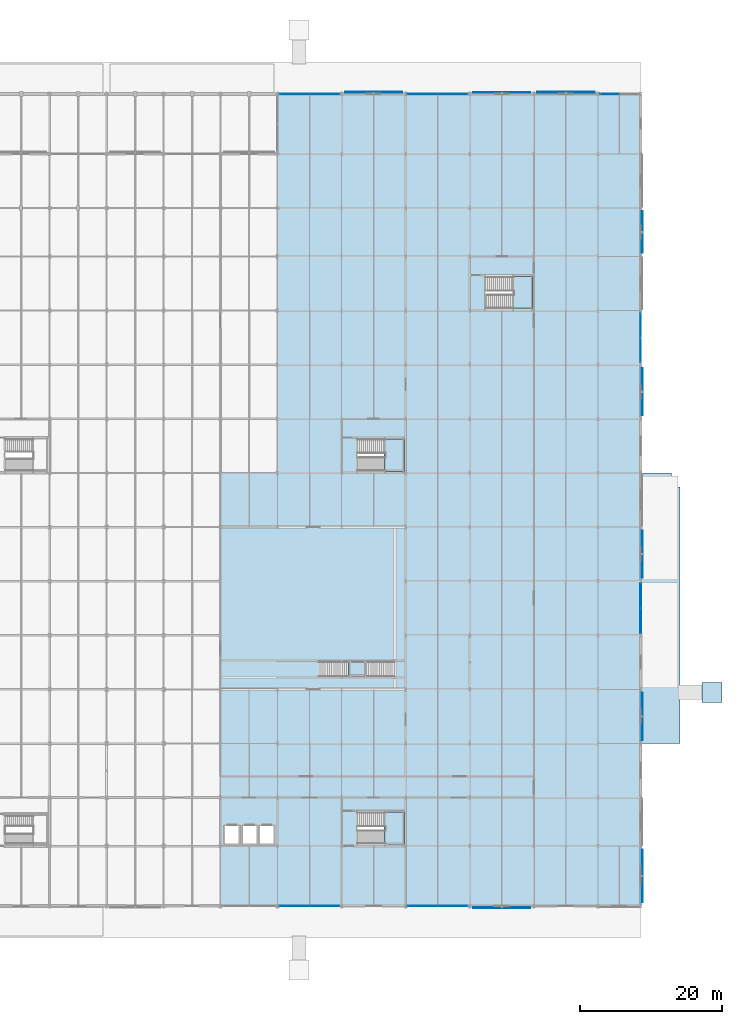
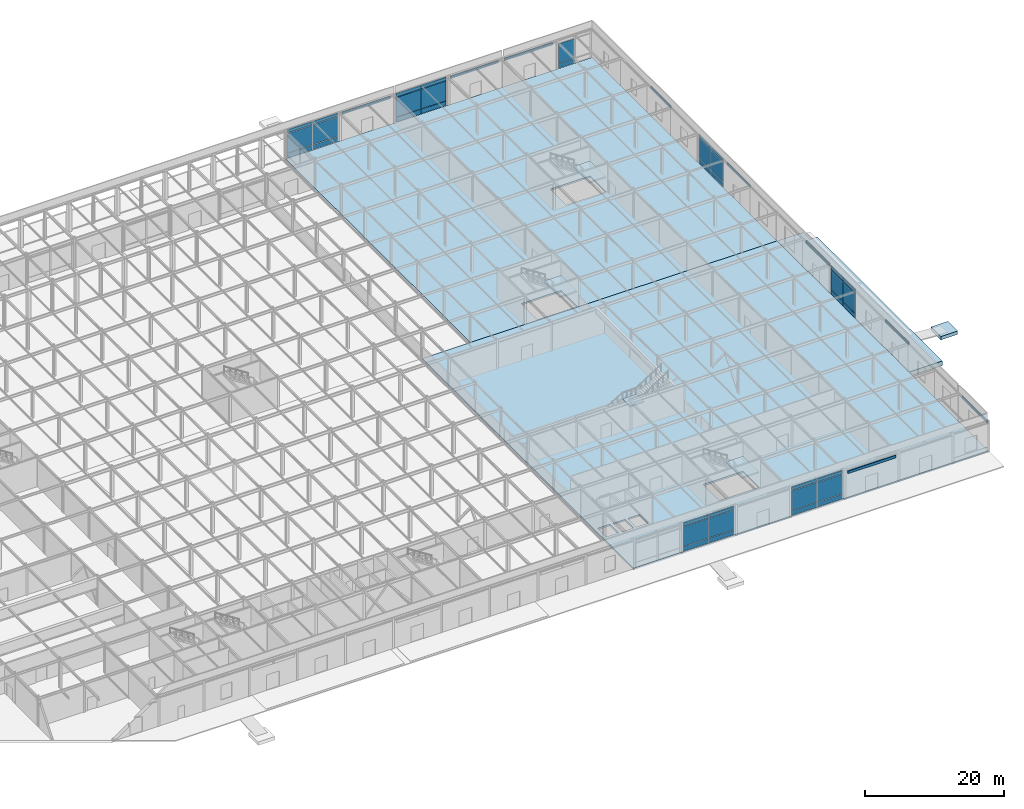
# One storey, part 58 of 89: 47 plates, 8 slabs, 11 elements without a shape of their own.
"""IFC4 building model written with IfcOpenShell, lengths in metres."""

from ifc_helpers import new_model, si_unit, direction, frame, origin, origin_2d, place, context, subcontext, project, spatial, polyline, rectangle, outline, extrude, material, layer, layer_set, type_object, element, aggregate, save


model = new_model("IFC4")

# Units and contexts
model_context = context("Model", 3, precision=1e-05, world=origin(), true_north=direction((0.0, 1.0)))
body_context = subcontext(model_context, "Body", "Model", "MODEL_VIEW")
ifc_project = project(units=[si_unit("LENGTHUNIT", "METRE"), si_unit("AREAUNIT", "SQUARE_METRE"), si_unit("VOLUMEUNIT", "CUBIC_METRE"), si_unit("PLANEANGLEUNIT", "RADIAN"), si_unit("MASSUNIT", "GRAM", prefix="KILO")], contexts=[model_context])

# Site, building, storey
site_placement = place(None, origin())
site = spatial("IfcSite", under=ifc_project, at=site_placement, CompositionType="ELEMENT")
building_placement = place(site_placement, origin())
building = spatial("IfcBuilding", under=site, at=building_placement, Name="Shalkamar Park Central Library", CompositionType="ELEMENT")
storey_placement = place(building_placement, origin())
storey = spatial("IfcBuildingStorey", under=building, at=storey_placement, Name="L01", CompositionType="ELEMENT", Elevation=0.0)

# Slabs
ifc_material_1 = material(Name="Concrete C35/45", Category="concrete")
ifc_layer_1 = layer(ifc_material_1, 0.60009765625)
ifc_layer_set_1 = layer_set([ifc_layer_1], Name="Concrete C35/45")
slab_type_1 = type_object("IfcSlabType", Name="Basement Base Slab 600", PredefinedType="BASESLAB", material=ifc_layer_set_1)
slab_1_placement = place(storey_placement, frame((0.0, 0.0, -0.89990234375)))
element("IfcSlab", 1, at=slab_1_placement, inside=storey, type_object=slab_type_1, Name="Approach Grade Pad RMP-E-M", PredefinedType="BASESLAB", context=body_context, shape_type="SweptSolid", body=[
    extrude(outline(polyline([(296.60009765625, 268.60009765625), (299.39990234375, 268.60009765625), (299.39990234375, 271.39990234375), (296.60009765625, 271.39990234375), (296.60009765625, 268.60009765625)])), origin(), (0.0, 0.0, 1.0), 0.599853515625),
])
ifc_layer_2 = layer(ifc_material_1, 0.800048828125)
ifc_layer_set_2 = layer_set([ifc_layer_2], Name="Concrete C35/45")
slab_type_2 = type_object("IfcSlabType", Name="Basement Base Slab 800", PredefinedType="BASESLAB", material=ifc_layer_set_2)
slab_2_placement = place(storey_placement, frame((0.0, 0.0, -0.800048828125)))
element("IfcSlab", 2, at=slab_2_placement, inside=storey, type_object=slab_type_2, Name="East Park Entrance Grade Apron Slab", PredefinedType="BASESLAB", context=body_context, shape_type="SweptSolid", body=[
    extrude(outline(polyline([(288.0, 262.800048828125), (293.5, 262.800048828125), (293.5, 298.800048828125), (292.300048828125, 298.800048828125), (292.300048828125, 300.800048828125), (288.0, 300.800048828125), (288.0, 262.800048828125)])), origin(), (0.0, 0.0, 1.0), 0.800048828125),
])

# Plates
ifc_material_2 = material(Name="Anodized bronze architectural frieze plate", Category="aluminium")
ifc_layer_3 = layer(ifc_material_2, 0.110107421875)
ifc_layer_set_3 = layer_set([ifc_layer_3], Name="BronzeSpandrelFriezePlate_110")
plate_type_1 = type_object("IfcPlateType", Name="Bronze Spandrel Frieze Plate 110", PredefinedType="USERDEFINED", material=ifc_layer_set_3)
plate_1_placement = place(storey_placement, frame((268.5, 354.2099609375, 4.34814453125), z_axis=(0.0, 0.0, 1.0), x_axis=(1.0, 0.0, 0.0)))
element("IfcPlate", 3, at=plate_1_placement, inside=storey, type_object=plate_type_1, Name="Bronze Spandrel Frieze Plate L01-015", ObjectType="CLADDING", PredefinedType="USERDEFINED", context=body_context, shape_type="SweptSolid", body=[
    extrude(rectangle(XDim=8.028076171875, YDim=0.110107421875, at=origin_2d()), origin(), (0.0, 0.0, 1.0), 0.449951171875),
])
for number, where, z_axis, x_axis, name in (
    (4, (288.2099609375, 266.60009765625, 4.42822265625), (0.0, 0.0, 1.0), (1.0, 0.0, 0.0), "Bronze Spandrel Frieze Plate L01-025"),
    (5, (288.2099609375, 312.199951171875, 4.42822265625), (0.0, 0.0, 1.0), (1.0, 0.0, 0.0), "Bronze Spandrel Frieze Plate L01-027"),
):
    element("IfcPlate", number, at=place(storey_placement, frame(where, z_axis=z_axis, x_axis=x_axis)), inside=storey, type_object=plate_type_1, Name=name, ObjectType="CLADDING", PredefinedType="USERDEFINED", context=body_context, shape_type="SweptSolid", body=[
        extrude(rectangle(XDim=0.110107421875, YDim=6.6279296875, at=origin_2d()), origin(), (0.0, 0.0, 1.0), 0.449951171875),
    ])
ifc_material_3 = material(Name="Anodized bronze stepped frieze plate", Category="aluminium")
ifc_layer_4 = layer(ifc_material_3, 0.139892578125)
ifc_layer_set_4 = layer_set([ifc_layer_4], Name="PostmodernKeystoneFriezePlate_140")
plate_type_2 = type_object("IfcPlateType", Name="Postmodern Keystone Frieze Plate 140", PredefinedType="USERDEFINED", material=ifc_layer_set_4)
for number, where, z_axis, x_axis, name in (
    (6, (268.5, 239.77490234375, 4.34814453125), (0.0, 0.0, 1.0), (1.0, 0.0, 0.0), "Bronze Spandrel Frieze Plate L01-006"),
    (7, (250.5, 354.22509765625, 4.34814453125), (0.0, 0.0, 1.0), (1.0, 0.0, 0.0), "Bronze Spandrel Frieze Plate L01-014"),
    (8, (277.5, 354.22509765625, 4.34814453125), (0.0, 0.0, 1.0), (1.0, 0.0, 0.0), "Bronze Spandrel Frieze Plate L01-016"),
):
    element("IfcPlate", number, at=place(storey_placement, frame(where, z_axis=z_axis, x_axis=x_axis)), inside=storey, type_object=plate_type_2, Name=name, ObjectType="CLADDING", PredefinedType="USERDEFINED", context=body_context, shape_type="SweptSolid", body=[
        extrude(rectangle(XDim=8.028076171875, YDim=0.139892578125, at=origin_2d()), origin(), (0.0, 0.0, 1.0), 0.449951171875),
    ])
plate_2_placement = place(storey_placement, frame((288.22509765625, 244.199951171875, 4.38818359375), z_axis=(0.0, 0.0, 1.0), x_axis=(1.0, 0.0, 0.0)))
element("IfcPlate", 9, at=plate_2_placement, inside=storey, type_object=plate_type_2, Name="Bronze Spandrel Frieze Plate L01-024", ObjectType="CLADDING", PredefinedType="USERDEFINED", context=body_context, shape_type="SweptSolid", body=[
    extrude(rectangle(XDim=0.139892578125, YDim=7.427978515625, at=origin_2d()), origin(), (0.0, 0.0, 1.0), 0.449951171875),
])
plate_3_placement = place(storey_placement, frame((288.22509765625, 289.39990234375, 4.42822265625), z_axis=(0.0, 0.0, 1.0), x_axis=(1.0, 0.0, 0.0)))
element("IfcPlate", 10, at=plate_3_placement, inside=storey, type_object=plate_type_2, Name="Bronze Spandrel Frieze Plate L01-026", ObjectType="CLADDING", PredefinedType="USERDEFINED", context=body_context, shape_type="SweptSolid", body=[
    extrude(rectangle(XDim=0.139892578125, YDim=6.6279296875, at=origin_2d()), origin(), (0.0, 0.0, 1.0), 0.449951171875),
])
plate_4_placement = place(storey_placement, frame((288.22509765625, 334.60009765625, 4.46826171875), z_axis=(0.0, 0.0, 1.0), x_axis=(1.0, 0.0, 0.0)))
element("IfcPlate", 11, at=plate_4_placement, inside=storey, type_object=plate_type_2, Name="Bronze Spandrel Frieze Plate L01-028", ObjectType="CLADDING", PredefinedType="USERDEFINED", context=body_context, shape_type="SweptSolid", body=[
    extrude(rectangle(XDim=0.139892578125, YDim=5.827880859375, at=origin_2d()), origin(), (0.0, 0.0, 1.0), 0.449951171875),
])

# Curtain wall, plates
ifc_material_4 = material(Name="Thermally broken aluminium and triple low-e curtain wall", Category="aluminium")
ifc_layer_5 = layer(ifc_material_4, 0.27001953125)
ifc_layer_set_5 = layer_set([ifc_layer_5], Name="UnitisedCurtainWall_02")
curtain_wall_type_1 = type_object("IfcCurtainWallType", Name="Unitised Curtain Wall 02", PredefinedType="USERDEFINED", material=ifc_layer_set_5)
curtain_wall_1_placement = place(storey_placement, origin())
curtain_wall_1 = element("IfcCurtainWall", 12, at=curtain_wall_1_placement, inside=storey, type_object=curtain_wall_type_1, Name="Unitised Curtain Wall CW-L01-002", ObjectType="UNITISED CURTAIN WALL", PredefinedType="USERDEFINED")
ifc_material_5 = material(Name="Triple-glazed solar-control glass", Category="glass")
ifc_layer_6 = layer(ifc_material_5, 0.031982421875)
ifc_layer_set_6 = layer_set([ifc_layer_6], Name="SolarControlVisionPanel_32")
plate_type_3 = type_object("IfcPlateType", Name="Solar Control Vision Panel 32", PredefinedType="CURTAIN_PANEL", material=ifc_layer_set_6)
plate_5_placement = place(storey_placement, frame((239.378173828125, 240.0, 0.06494140625), z_axis=(0.0, 0.0, 1.0), x_axis=(1.0, 0.0, 0.0)))
plate_5 = element("IfcPlate", 13, at=plate_5_placement, type_object=plate_type_3, Name="CW-02 panel 1.1", PredefinedType="CURTAIN_PANEL", context=body_context, shape_type="SweptSolid", body=[
    extrude(rectangle(XDim=4.138427734375, YDim=0.031982421875, at=origin_2d()), origin(), (0.0, 0.0, 1.0), 0.802490234375),
])
plate_6_placement = place(storey_placement, frame((239.378173828125, 240.0, 0.932373046875), z_axis=(0.0, 0.0, 1.0), x_axis=(1.0, 0.0, 0.0)))
plate_6 = element("IfcPlate", 14, at=plate_6_placement, type_object=plate_type_3, Name="CW-02 panel 1.2", PredefinedType="CURTAIN_PANEL", context=body_context, shape_type="SweptSolid", body=[
    extrude(rectangle(XDim=4.138427734375, YDim=0.031982421875, at=origin_2d()), origin(), (0.0, 0.0, 1.0), 3.43505859375),
])
plate_7_placement = place(storey_placement, frame((239.378173828125, 240.0, 4.4326171875), z_axis=(0.0, 0.0, 1.0), x_axis=(1.0, 0.0, 0.0)))
plate_7 = element("IfcPlate", 15, at=plate_7_placement, type_object=plate_type_3, Name="CW-02 panel 1.3", PredefinedType="CURTAIN_PANEL", context=body_context, shape_type="SweptSolid", body=[
    extrude(rectangle(XDim=4.138427734375, YDim=0.031982421875, at=origin_2d()), origin(), (0.0, 0.0, 1.0), 0.652587890625),
])
plate_8_placement = place(storey_placement, frame((243.5966796875, 240.0, 0.06494140625), z_axis=(0.0, 0.0, 1.0), x_axis=(1.0, 0.0, 0.0)))
plate_8 = element("IfcPlate", 16, at=plate_8_placement, type_object=plate_type_3, Name="CW-02 panel 2.1", PredefinedType="CURTAIN_PANEL", context=body_context, shape_type="SweptSolid", body=[
    extrude(rectangle(XDim=4.138427734375, YDim=0.031982421875, at=origin_2d()), origin(), (0.0, 0.0, 1.0), 0.802490234375),
])
plate_9_placement = place(storey_placement, frame((243.5966796875, 240.0, 0.932373046875), z_axis=(0.0, 0.0, 1.0), x_axis=(1.0, 0.0, 0.0)))
plate_9 = element("IfcPlate", 17, at=plate_9_placement, type_object=plate_type_3, Name="CW-02 panel 2.2", PredefinedType="CURTAIN_PANEL", context=body_context, shape_type="SweptSolid", body=[
    extrude(rectangle(XDim=4.138427734375, YDim=0.031982421875, at=origin_2d()), origin(), (0.0, 0.0, 1.0), 3.43505859375),
])
plate_10_placement = place(storey_placement, frame((243.5966796875, 240.0, 4.4326171875), z_axis=(0.0, 0.0, 1.0), x_axis=(1.0, 0.0, 0.0)))
plate_10 = element("IfcPlate", 18, at=plate_10_placement, type_object=plate_type_3, Name="CW-02 panel 2.3", PredefinedType="CURTAIN_PANEL", context=body_context, shape_type="SweptSolid", body=[
    extrude(rectangle(XDim=4.138427734375, YDim=0.031982421875, at=origin_2d()), origin(), (0.0, 0.0, 1.0), 0.652587890625),
])
aggregate(curtain_wall_1, [plate_5, plate_6, plate_7, plate_8, plate_9, plate_10])

ifc_layer_7 = layer(ifc_material_4, 0.280029296875)
ifc_layer_set_7 = layer_set([ifc_layer_7], Name="UnitisedCurtainWall_17")
curtain_wall_type_2 = type_object("IfcCurtainWallType", Name="Unitised Curtain Wall 17", PredefinedType="USERDEFINED", material=ifc_layer_set_7)
curtain_wall_2_placement = place(storey_placement, origin())
curtain_wall_2 = element("IfcCurtainWall", 19, at=curtain_wall_2_placement, inside=storey, type_object=curtain_wall_type_2, Name="Unitised Curtain Wall CW-L01-020", ObjectType="UNITISED CURTAIN WALL", PredefinedType="USERDEFINED")
plate_11_placement = place(storey_placement, frame((288.0, 318.037109375, 0.070068359375), z_axis=(0.0, 0.0, 1.0), x_axis=(0.0, 1.0, 0.0)))
plate_11 = element("IfcPlate", 20, at=plate_11_placement, type_object=plate_type_3, Name="CW-17 panel 1.1", PredefinedType="CURTAIN_PANEL", context=body_context, shape_type="SweptSolid", body=[
    extrude(rectangle(XDim=3.43603515625, YDim=0.031982421875, at=origin_2d()), origin(), (0.0, 0.0, 1.0), 0.794921875),
])
plate_12_placement = place(storey_placement, frame((288.0, 318.037109375, 0.93505859375), z_axis=(0.0, 0.0, 1.0), x_axis=(0.0, 1.0, 0.0)))
plate_12 = element("IfcPlate", 21, at=plate_12_placement, type_object=plate_type_3, Name="CW-17 panel 1.2", PredefinedType="CURTAIN_PANEL", context=body_context, shape_type="SweptSolid", body=[
    extrude(rectangle(XDim=3.43603515625, YDim=0.031982421875, at=origin_2d()), origin(), (0.0, 0.0, 1.0), 3.429931640625),
])
plate_13_placement = place(storey_placement, frame((288.0, 318.037109375, 4.43505859375), z_axis=(0.0, 0.0, 1.0), x_axis=(0.0, 1.0, 0.0)))
plate_13 = element("IfcPlate", 22, at=plate_13_placement, type_object=plate_type_3, Name="CW-17 panel 1.3", PredefinedType="CURTAIN_PANEL", context=body_context, shape_type="SweptSolid", body=[
    extrude(rectangle(XDim=3.43603515625, YDim=0.031982421875, at=origin_2d()), origin(), (0.0, 0.0, 1.0), 0.64501953125),
])
plate_14_placement = place(storey_placement, frame((288.0, 321.56298828125, 0.070068359375), z_axis=(0.0, 0.0, 1.0), x_axis=(0.0, 1.0, 0.0)))
plate_14 = element("IfcPlate", 23, at=plate_14_placement, type_object=plate_type_3, Name="CW-17 panel 2.1", PredefinedType="CURTAIN_PANEL", context=body_context, shape_type="SweptSolid", body=[
    extrude(rectangle(XDim=3.43603515625, YDim=0.031982421875, at=origin_2d()), origin(), (0.0, 0.0, 1.0), 0.794921875),
])
plate_15_placement = place(storey_placement, frame((288.0, 321.56298828125, 0.93505859375), z_axis=(0.0, 0.0, 1.0), x_axis=(0.0, 1.0, 0.0)))
plate_15 = element("IfcPlate", 24, at=plate_15_placement, type_object=plate_type_3, Name="CW-17 panel 2.2", PredefinedType="CURTAIN_PANEL", context=body_context, shape_type="SweptSolid", body=[
    extrude(rectangle(XDim=3.43603515625, YDim=0.031982421875, at=origin_2d()), origin(), (0.0, 0.0, 1.0), 3.429931640625),
])
plate_16_placement = place(storey_placement, frame((288.0, 321.56298828125, 4.43505859375), z_axis=(0.0, 0.0, 1.0), x_axis=(0.0, 1.0, 0.0)))
plate_16 = element("IfcPlate", 25, at=plate_16_placement, type_object=plate_type_3, Name="CW-17 panel 2.3", PredefinedType="CURTAIN_PANEL", context=body_context, shape_type="SweptSolid", body=[
    extrude(rectangle(XDim=3.43603515625, YDim=0.031982421875, at=origin_2d()), origin(), (0.0, 0.0, 1.0), 0.64501953125),
])
aggregate(curtain_wall_2, [plate_11, plate_12, plate_13, plate_14, plate_15, plate_16])

ifc_layer_8 = layer(ifc_material_4, 0.25)
ifc_layer_set_8 = layer_set([ifc_layer_8], Name="UnitisedCurtainWall_12")
curtain_wall_type_3 = type_object("IfcCurtainWallType", Name="Unitised Curtain Wall 12", PredefinedType="USERDEFINED", material=ifc_layer_set_8)
curtain_wall_3_placement = place(storey_placement, origin())
curtain_wall_3 = element("IfcCurtainWall", 26, at=curtain_wall_3_placement, inside=storey, type_object=curtain_wall_type_3, Name="Unitised Curtain Wall CW-L01-013", ObjectType="UNITISED CURTAIN WALL", PredefinedType="USERDEFINED")
ifc_material_6 = material(Name="Insulated aluminium spandrel panel", Category="aluminium")
ifc_layer_9 = layer(ifc_material_6, 0.080078125)
ifc_layer_set_9 = layer_set([ifc_layer_9], Name="SpandrelShadowboxPanel_80")
plate_type_4 = type_object("IfcPlateType", Name="Spandrel Shadowbox Panel 80", PredefinedType="CURTAIN_PANEL", material=ifc_layer_set_9)
plate_17_placement = place(storey_placement, frame((257.376953125, 354.0, 0.06005859375), z_axis=(0.0, 0.0, 1.0), x_axis=(1.0, 0.0, 0.0)))
plate_17 = element("IfcPlate", 27, at=plate_17_placement, type_object=plate_type_4, Name="CW-12 panel 1.1", PredefinedType="CURTAIN_PANEL", context=body_context, shape_type="SweptSolid", body=[
    extrude(rectangle(XDim=4.14599609375, YDim=0.080078125, at=origin_2d()), origin(), (0.0, 0.0, 1.0), 0.81005859375),
])
plate_18_placement = place(storey_placement, frame((257.376953125, 354.0, 0.929931640625), z_axis=(0.0, 0.0, 1.0), x_axis=(1.0, 0.0, 0.0)))
plate_18 = element("IfcPlate", 28, at=plate_18_placement, type_object=plate_type_4, Name="CW-12 panel 1.2", PredefinedType="CURTAIN_PANEL", context=body_context, shape_type="SweptSolid", body=[
    extrude(rectangle(XDim=4.14599609375, YDim=0.080078125, at=origin_2d()), origin(), (0.0, 0.0, 1.0), 3.43994140625),
])
plate_19_placement = place(storey_placement, frame((257.376953125, 354.0, 4.43017578125), z_axis=(0.0, 0.0, 1.0), x_axis=(1.0, 0.0, 0.0)))
plate_19 = element("IfcPlate", 29, at=plate_19_placement, type_object=plate_type_4, Name="CW-12 panel 1.3", PredefinedType="CURTAIN_PANEL", context=body_context, shape_type="SweptSolid", body=[
    extrude(rectangle(XDim=4.14599609375, YDim=0.080078125, at=origin_2d()), origin(), (0.0, 0.0, 1.0), 0.659912109375),
])
plate_20_placement = place(storey_placement, frame((261.597900390625, 354.0, 0.06005859375), z_axis=(0.0, 0.0, 1.0), x_axis=(1.0, 0.0, 0.0)))
plate_20 = element("IfcPlate", 30, at=plate_20_placement, type_object=plate_type_4, Name="CW-12 panel 2.1", PredefinedType="CURTAIN_PANEL", context=body_context, shape_type="SweptSolid", body=[
    extrude(rectangle(XDim=4.14599609375, YDim=0.080078125, at=origin_2d()), origin(), (0.0, 0.0, 1.0), 0.81005859375),
])
plate_21_placement = place(storey_placement, frame((261.597900390625, 354.0, 0.929931640625), z_axis=(0.0, 0.0, 1.0), x_axis=(1.0, 0.0, 0.0)))
plate_21 = element("IfcPlate", 31, at=plate_21_placement, type_object=plate_type_4, Name="CW-12 panel 2.2", PredefinedType="CURTAIN_PANEL", context=body_context, shape_type="SweptSolid", body=[
    extrude(rectangle(XDim=4.14599609375, YDim=0.080078125, at=origin_2d()), origin(), (0.0, 0.0, 1.0), 3.43994140625),
])
plate_22_placement = place(storey_placement, frame((261.597900390625, 354.0, 4.43017578125), z_axis=(0.0, 0.0, 1.0), x_axis=(1.0, 0.0, 0.0)))
plate_22 = element("IfcPlate", 32, at=plate_22_placement, type_object=plate_type_4, Name="CW-12 panel 2.3", PredefinedType="CURTAIN_PANEL", context=body_context, shape_type="SweptSolid", body=[
    extrude(rectangle(XDim=4.14599609375, YDim=0.080078125, at=origin_2d()), origin(), (0.0, 0.0, 1.0), 0.659912109375),
])
aggregate(curtain_wall_3, [plate_17, plate_18, plate_19, plate_20, plate_21, plate_22])

ifc_layer_10 = layer(ifc_material_4, 0.25)
ifc_layer_set_10 = layer_set([ifc_layer_10], Name="UnitisedCurtainWall_18")
curtain_wall_type_4 = type_object("IfcCurtainWallType", Name="Unitised Curtain Wall 18", PredefinedType="USERDEFINED", material=ifc_layer_set_10)
curtain_wall_4_placement = place(storey_placement, origin())
curtain_wall_4 = element("IfcCurtainWall", 33, at=curtain_wall_4_placement, inside=storey, type_object=curtain_wall_type_4, Name="Unitised Curtain Wall CW-L01-019", ObjectType="UNITISED CURTAIN WALL", PredefinedType="USERDEFINED")
plate_23_placement = place(storey_placement, frame((288.0, 280.033203125, 0.06005859375), z_axis=(0.0, 0.0, 1.0), x_axis=(0.0, 1.0, 0.0)))
plate_23 = element("IfcPlate", 34, at=plate_23_placement, type_object=plate_type_4, Name="CW-18 panel 1.1", PredefinedType="CURTAIN_PANEL", context=body_context, shape_type="SweptSolid", body=[
    extrude(rectangle(XDim=3.45849609375, YDim=0.080078125, at=origin_2d()), origin(), (0.0, 0.0, 1.0), 0.81005859375),
])
plate_24_placement = place(storey_placement, frame((288.0, 280.033203125, 0.929931640625), z_axis=(0.0, 0.0, 1.0), x_axis=(0.0, 1.0, 0.0)))
plate_24 = element("IfcPlate", 35, at=plate_24_placement, type_object=plate_type_4, Name="CW-18 panel 1.2", PredefinedType="CURTAIN_PANEL", context=body_context, shape_type="SweptSolid", body=[
    extrude(rectangle(XDim=3.45849609375, YDim=0.080078125, at=origin_2d()), origin(), (0.0, 0.0, 1.0), 3.43994140625),
])
plate_25_placement = place(storey_placement, frame((288.0, 280.033203125, 4.43017578125), z_axis=(0.0, 0.0, 1.0), x_axis=(0.0, 1.0, 0.0)))
plate_25 = element("IfcPlate", 36, at=plate_25_placement, type_object=plate_type_4, Name="CW-18 panel 1.3", PredefinedType="CURTAIN_PANEL", context=body_context, shape_type="SweptSolid", body=[
    extrude(rectangle(XDim=3.45849609375, YDim=0.080078125, at=origin_2d()), origin(), (0.0, 0.0, 1.0), 0.659912109375),
])
plate_26_placement = place(storey_placement, frame((288.0, 283.566650390625, 0.06005859375), z_axis=(0.0, 0.0, 1.0), x_axis=(0.0, 1.0, 0.0)))
plate_26 = element("IfcPlate", 37, at=plate_26_placement, type_object=plate_type_4, Name="CW-18 panel 2.1", PredefinedType="CURTAIN_PANEL", context=body_context, shape_type="SweptSolid", body=[
    extrude(rectangle(XDim=3.45849609375, YDim=0.080078125, at=origin_2d()), origin(), (0.0, 0.0, 1.0), 0.81005859375),
])
plate_27_placement = place(storey_placement, frame((288.0, 283.566650390625, 0.929931640625), z_axis=(0.0, 0.0, 1.0), x_axis=(0.0, 1.0, 0.0)))
plate_27 = element("IfcPlate", 38, at=plate_27_placement, type_object=plate_type_4, Name="CW-18 panel 2.2", PredefinedType="CURTAIN_PANEL", context=body_context, shape_type="SweptSolid", body=[
    extrude(rectangle(XDim=3.45849609375, YDim=0.080078125, at=origin_2d()), origin(), (0.0, 0.0, 1.0), 3.43994140625),
])
plate_28_placement = place(storey_placement, frame((288.0, 283.566650390625, 4.43017578125), z_axis=(0.0, 0.0, 1.0), x_axis=(0.0, 1.0, 0.0)))
plate_28 = element("IfcPlate", 39, at=plate_28_placement, type_object=plate_type_4, Name="CW-18 panel 2.3", PredefinedType="CURTAIN_PANEL", context=body_context, shape_type="SweptSolid", body=[
    extrude(rectangle(XDim=3.45849609375, YDim=0.080078125, at=origin_2d()), origin(), (0.0, 0.0, 1.0), 0.659912109375),
])
aggregate(curtain_wall_4, [plate_23, plate_24, plate_25, plate_26, plate_27, plate_28])

# Stair, slab
stair_type_1 = type_object("IfcStairType", Name="Protected Dog Leg Stair 200x540", PredefinedType="TWO_STRAIGHT_RUN_STAIR", material=ifc_material_1)
stair_1_placement = place(storey_placement, origin())
stair_1 = element("IfcStair", 40, at=stair_1_placement, inside=storey, type_object=stair_type_1, Name="Protected Core Stair ST-P3-L01", PredefinedType="TWO_STRAIGHT_RUN_STAIR")
ifc_layer_11 = layer(ifc_material_1, 0.280029296875)
ifc_layer_set_11 = layer_set([ifc_layer_11], Name="Concrete C35/45")
slab_type_3 = type_object("IfcSlabType", Name="Stair Landing Slab 160", PredefinedType="LANDING", material=ifc_layer_set_11)
slab_3_placement = place(storey_placement, frame((0.0, 0.0, 2.419921875)))
slab_3 = element("IfcSlab", 41, at=slab_3_placement, type_object=slab_type_3, Name="ST-P3-L01 landing 1", PredefinedType="LANDING", context=body_context, shape_type="SweptSolid", body=[
    extrude(outline(polyline([(251.965087890625, 248.594970703125), (254.804931640625, 248.594970703125), (254.804931640625, 253.155029296875), (251.965087890625, 253.155029296875), (251.965087890625, 248.594970703125)])), origin(), (0.0, 0.0, 1.0), 0.280029296875),
])
aggregate(stair_1, [slab_3])

stair_2_placement = place(storey_placement, origin())
stair_2 = element("IfcStair", 42, at=stair_2_placement, inside=storey, type_object=stair_type_1, Name="Protected Core Stair ST-P4-L01", PredefinedType="TWO_STRAIGHT_RUN_STAIR")
slab_4_placement = place(storey_placement, frame((0.0, 0.0, 2.419921875)))
slab_4 = element("IfcSlab", 43, at=slab_4_placement, type_object=slab_type_3, Name="ST-P4-L01 landing 1", PredefinedType="LANDING", context=body_context, shape_type="SweptSolid", body=[
    extrude(outline(polyline([(251.965087890625, 300.9951171875), (254.804931640625, 300.9951171875), (254.804931640625, 305.554931640625), (251.965087890625, 305.554931640625), (251.965087890625, 300.9951171875)])), origin(), (0.0, 0.0, 1.0), 0.280029296875),
])
aggregate(stair_2, [slab_4])

stair_3_placement = place(storey_placement, origin())
stair_3 = element("IfcStair", 44, at=stair_3_placement, inside=storey, type_object=stair_type_1, Name="Protected Core Stair ST-P6-L01", PredefinedType="TWO_STRAIGHT_RUN_STAIR")
slab_5_placement = place(storey_placement, frame((0.0, 0.0, 2.419921875)))
slab_5 = element("IfcSlab", 45, at=slab_5_placement, type_object=slab_type_3, Name="ST-P6-L01 landing 1", PredefinedType="LANDING", context=body_context, shape_type="SweptSolid", body=[
    extrude(outline(polyline([(269.965087890625, 323.794921875), (272.804931640625, 323.794921875), (272.804931640625, 328.35498046875), (269.965087890625, 328.35498046875), (269.965087890625, 323.794921875)])), origin(), (0.0, 0.0, 1.0), 0.280029296875),
])
aggregate(stair_3, [slab_5])

stair_type_2 = type_object("IfcStairType", Name="Monumental Stair 210x540", PredefinedType="STRAIGHT_RUN_STAIR", material=ifc_material_1)
stair_4_placement = place(storey_placement, origin())
stair_4 = element("IfcStair", 46, at=stair_4_placement, inside=storey, type_object=stair_type_2, Name="Monumental Atrium Reading Stair ST-A1 (L01-L02)", PredefinedType="STRAIGHT_RUN_STAIR")
slab_6_placement = place(storey_placement, frame((0.0, 0.0, 2.419921875)))
slab_6 = element("IfcSlab", 47, at=slab_6_placement, type_object=slab_type_3, Name="ST-A1-L01 landing 1", PredefinedType="LANDING", context=body_context, shape_type="SweptSolid", body=[
    extrude(outline(polyline([(247.0, 272.199951171875), (249.3798828125, 272.199951171875), (249.3798828125, 274.300048828125), (247.0, 274.300048828125), (247.0, 272.199951171875)])), origin(), (0.0, 0.0, 1.0), 0.280029296875),
])
aggregate(stair_4, [slab_6])

# Slabs
ifc_layer_12 = layer(ifc_material_1, 0.2900390625)
ifc_layer_set_12 = layer_set([ifc_layer_12], Name="Concrete C35/45")
slab_type_4 = type_object("IfcSlabType", Name="Suspended Floor Slab 290", PredefinedType="FLOOR", material=ifc_layer_set_12)
slab_7_placement = place(storey_placement, frame((0.0, 0.0, -0.2900390625)))
element("IfcSlab", 48, at=slab_7_placement, inside=storey, type_object=slab_type_4, Name="Level L01 Composite Floor Slab SE", PredefinedType="FLOOR", context=body_context, shape_type="SweptSolid", body=[
    extrude(outline(polyline([(229.0, 240.0), (229.0, 300.800048828125), (288.0, 300.800048828125), (288.0, 240.0), (229.0, 240.0)]), holes=[polyline([(231.580078125, 251.22998046875), (229.6201171875, 251.22998046875), (229.6201171875, 248.77001953125), (231.580078125, 248.77001953125), (231.580078125, 251.22998046875)]), polyline([(234.080078125, 251.22998046875), (232.1201171875, 251.22998046875), (232.1201171875, 248.77001953125), (234.080078125, 248.77001953125), (234.080078125, 251.22998046875)]), polyline([(236.47998046875, 251.22998046875), (234.52001953125, 251.22998046875), (234.52001953125, 248.77001953125), (236.47998046875, 248.77001953125), (236.47998046875, 251.22998046875)]), polyline([(254.824951171875, 253.175048828125), (248.22509765625, 253.175048828125), (248.22509765625, 248.574951171875), (254.824951171875, 248.574951171875), (254.824951171875, 253.175048828125)])]), origin(), (0.0, 0.0, 1.0), 0.2900390625),
])
slab_8_placement = place(storey_placement, frame((0.0, 0.0, -0.2900390625)))
element("IfcSlab", 49, at=slab_8_placement, inside=storey, type_object=slab_type_4, Name="Level L01 Composite Floor Slab NE", PredefinedType="FLOOR", context=body_context, shape_type="SweptSolid", body=[
    extrude(outline(polyline([(237.0, 300.800048828125), (237.0, 354.0), (288.0, 354.0), (288.0, 300.800048828125), (237.0, 300.800048828125)]), holes=[polyline([(254.824951171875, 300.97509765625), (254.824951171875, 305.574951171875), (248.22509765625, 305.574951171875), (248.22509765625, 300.97509765625), (254.824951171875, 300.97509765625)]), polyline([(272.824951171875, 323.77490234375), (272.824951171875, 328.375), (266.22509765625, 328.375), (266.22509765625, 323.77490234375), (272.824951171875, 323.77490234375)])]), origin(), (0.0, 0.0, 1.0), 0.2900390625),
])

# Curtain wall, plates
ifc_layer_13 = layer(ifc_material_4, 0.280029296875)
ifc_layer_set_13 = layer_set([ifc_layer_13], Name="UnitisedCurtainWall_03")
curtain_wall_type_5 = type_object("IfcCurtainWallType", Name="Unitised Curtain Wall 03", PredefinedType="USERDEFINED", material=ifc_layer_set_13)
curtain_wall_5_placement = place(storey_placement, origin())
curtain_wall_5 = element("IfcCurtainWall", 50, at=curtain_wall_5_placement, inside=storey, type_object=curtain_wall_type_5, Name="Unitised Curtain Wall CW-L01-003", ObjectType="UNITISED CURTAIN WALL", PredefinedType="USERDEFINED")
ifc_material_7 = material(Name="Triple-glazed laminated glass", Category="glass")
ifc_layer_14 = layer(ifc_material_7, 0.06005859375)
ifc_layer_set_14 = layer_set([ifc_layer_14], Name="TripleGlazedPodiumPanel_60")
plate_type_5 = type_object("IfcPlateType", Name="Triple Glazed Podium Panel 60", PredefinedType="CURTAIN_PANEL", material=ifc_layer_set_14)
plate_29_placement = place(storey_placement, frame((257.380859375, 240.0, 0.070068359375), z_axis=(0.0, 0.0, 1.0), x_axis=(1.0, 0.0, 0.0)))
plate_29 = element("IfcPlate", 51, at=plate_29_placement, type_object=plate_type_5, Name="CW-03 panel 1.1", PredefinedType="CURTAIN_PANEL", context=body_context, shape_type="SweptSolid", body=[
    extrude(rectangle(XDim=4.12353515625, YDim=0.06005859375, at=origin_2d()), origin(), (0.0, 0.0, 1.0), 0.794921875),
])
plate_30_placement = place(storey_placement, frame((257.380859375, 240.0, 0.93505859375), z_axis=(0.0, 0.0, 1.0), x_axis=(1.0, 0.0, 0.0)))
plate_30 = element("IfcPlate", 52, at=plate_30_placement, type_object=plate_type_5, Name="CW-03 panel 1.2", PredefinedType="CURTAIN_PANEL", context=body_context, shape_type="SweptSolid", body=[
    extrude(rectangle(XDim=4.12353515625, YDim=0.06005859375, at=origin_2d()), origin(), (0.0, 0.0, 1.0), 3.429931640625),
])
plate_31_placement = place(storey_placement, frame((257.380859375, 240.0, 4.43505859375), z_axis=(0.0, 0.0, 1.0), x_axis=(1.0, 0.0, 0.0)))
plate_31 = element("IfcPlate", 53, at=plate_31_placement, type_object=plate_type_5, Name="CW-03 panel 1.3", PredefinedType="CURTAIN_PANEL", context=body_context, shape_type="SweptSolid", body=[
    extrude(rectangle(XDim=4.12353515625, YDim=0.06005859375, at=origin_2d()), origin(), (0.0, 0.0, 1.0), 0.64501953125),
])
plate_32_placement = place(storey_placement, frame((261.59423828125, 240.0, 0.070068359375), z_axis=(0.0, 0.0, 1.0), x_axis=(1.0, 0.0, 0.0)))
plate_32 = element("IfcPlate", 54, at=plate_32_placement, type_object=plate_type_5, Name="CW-03 panel 2.1", PredefinedType="CURTAIN_PANEL", context=body_context, shape_type="SweptSolid", body=[
    extrude(rectangle(XDim=4.12353515625, YDim=0.06005859375, at=origin_2d()), origin(), (0.0, 0.0, 1.0), 0.794921875),
])
plate_33_placement = place(storey_placement, frame((261.59423828125, 240.0, 0.93505859375), z_axis=(0.0, 0.0, 1.0), x_axis=(1.0, 0.0, 0.0)))
plate_33 = element("IfcPlate", 55, at=plate_33_placement, type_object=plate_type_5, Name="CW-03 panel 2.2", PredefinedType="CURTAIN_PANEL", context=body_context, shape_type="SweptSolid", body=[
    extrude(rectangle(XDim=4.12353515625, YDim=0.06005859375, at=origin_2d()), origin(), (0.0, 0.0, 1.0), 3.429931640625),
])
plate_34_placement = place(storey_placement, frame((261.59423828125, 240.0, 4.43505859375), z_axis=(0.0, 0.0, 1.0), x_axis=(1.0, 0.0, 0.0)))
plate_34 = element("IfcPlate", 56, at=plate_34_placement, type_object=plate_type_5, Name="CW-03 panel 2.3", PredefinedType="CURTAIN_PANEL", context=body_context, shape_type="SweptSolid", body=[
    extrude(rectangle(XDim=4.12353515625, YDim=0.06005859375, at=origin_2d()), origin(), (0.0, 0.0, 1.0), 0.64501953125),
])
aggregate(curtain_wall_5, [plate_29, plate_30, plate_31, plate_32, plate_33, plate_34])

ifc_layer_15 = layer(ifc_material_4, 0.27001953125)
ifc_layer_set_15 = layer_set([ifc_layer_15], Name="UnitisedCurtainWall_13")
curtain_wall_type_6 = type_object("IfcCurtainWallType", Name="Unitised Curtain Wall 13", PredefinedType="USERDEFINED", material=ifc_layer_set_15)
curtain_wall_6_placement = place(storey_placement, origin())
curtain_wall_6 = element("IfcCurtainWall", 57, at=curtain_wall_6_placement, inside=storey, type_object=curtain_wall_type_6, Name="Unitised Curtain Wall CW-L01-014", ObjectType="UNITISED CURTAIN WALL", PredefinedType="USERDEFINED")
plate_35_placement = place(storey_placement, frame((283.6533203125, 354.0, 0.06494140625), z_axis=(0.0, 0.0, 1.0), x_axis=(1.0, 0.0, 0.0)))
plate_35 = element("IfcPlate", 58, at=plate_35_placement, type_object=plate_type_5, Name="CW-13 panel 1.1", PredefinedType="CURTAIN_PANEL", context=body_context, shape_type="SweptSolid", body=[
    extrude(rectangle(XDim=2.638427734375, YDim=0.06005859375, at=origin_2d()), origin(), (0.0, 0.0, 1.0), 0.802490234375),
])
plate_36_placement = place(storey_placement, frame((283.6533203125, 354.0, 0.932373046875), z_axis=(0.0, 0.0, 1.0), x_axis=(1.0, 0.0, 0.0)))
plate_36 = element("IfcPlate", 59, at=plate_36_placement, type_object=plate_type_5, Name="CW-13 panel 1.2", PredefinedType="CURTAIN_PANEL", context=body_context, shape_type="SweptSolid", body=[
    extrude(rectangle(XDim=2.638427734375, YDim=0.06005859375, at=origin_2d()), origin(), (0.0, 0.0, 1.0), 3.43505859375),
])
aggregate(curtain_wall_6, [plate_35, plate_36])

ifc_layer_16 = layer(ifc_material_4, 0.264892578125)
ifc_layer_set_16 = layer_set([ifc_layer_16], Name="UnitisedCurtainWall_11")
curtain_wall_type_7 = type_object("IfcCurtainWallType", Name="Unitised Curtain Wall 11", PredefinedType="USERDEFINED", material=ifc_layer_set_16)
curtain_wall_7_placement = place(storey_placement, origin())
curtain_wall_7 = element("IfcCurtainWall", 60, at=curtain_wall_7_placement, inside=storey, type_object=curtain_wall_type_7, Name="Unitised Curtain Wall CW-L01-012", ObjectType="UNITISED CURTAIN WALL", PredefinedType="USERDEFINED")
ifc_material_8 = material(Name="Triple-glazed low-e safety glass", Category="glass")
ifc_layer_17 = layer(ifc_material_8, 0.0439453125)
ifc_layer_set_17 = layer_set([ifc_layer_17], Name="TripleGlazedVisionPanel_44")
plate_type_6 = type_object("IfcPlateType", Name="Triple Glazed Vision Panel 44", PredefinedType="CURTAIN_PANEL", material=ifc_layer_set_17)
plate_37_placement = place(storey_placement, frame((239.4013671875, 354.0, 0.070068359375), z_axis=(0.0, 0.0, 1.0), x_axis=(1.0, 0.0, 0.0)))
plate_37 = element("IfcPlate", 61, at=plate_37_placement, type_object=plate_type_6, Name="CW-11 panel 1.1", PredefinedType="CURTAIN_PANEL", context=body_context, shape_type="SweptSolid", body=[
    extrude(rectangle(XDim=4.116455078125, YDim=0.0439453125, at=origin_2d()), origin(), (0.0, 0.0, 1.0), 0.794921875),
])
plate_38_placement = place(storey_placement, frame((239.4013671875, 354.0, 0.93505859375), z_axis=(0.0, 0.0, 1.0), x_axis=(1.0, 0.0, 0.0)))
plate_38 = element("IfcPlate", 62, at=plate_38_placement, type_object=plate_type_6, Name="CW-11 panel 1.2", PredefinedType="CURTAIN_PANEL", context=body_context, shape_type="SweptSolid", body=[
    extrude(rectangle(XDim=4.116455078125, YDim=0.0439453125, at=origin_2d()), origin(), (0.0, 0.0, 1.0), 3.429931640625),
])
plate_39_placement = place(storey_placement, frame((239.4013671875, 354.0, 4.43505859375), z_axis=(0.0, 0.0, 1.0), x_axis=(1.0, 0.0, 0.0)))
plate_39 = element("IfcPlate", 63, at=plate_39_placement, type_object=plate_type_6, Name="CW-11 panel 1.3", PredefinedType="CURTAIN_PANEL", context=body_context, shape_type="SweptSolid", body=[
    extrude(rectangle(XDim=4.116455078125, YDim=0.0439453125, at=origin_2d()), origin(), (0.0, 0.0, 1.0), 0.64501953125),
])
plate_40_placement = place(storey_placement, frame((243.602783203125, 354.0, 0.070068359375), z_axis=(0.0, 0.0, 1.0), x_axis=(1.0, 0.0, 0.0)))
plate_40 = element("IfcPlate", 64, at=plate_40_placement, type_object=plate_type_6, Name="CW-11 panel 2.1", PredefinedType="CURTAIN_PANEL", context=body_context, shape_type="SweptSolid", body=[
    extrude(rectangle(XDim=4.116455078125, YDim=0.0439453125, at=origin_2d()), origin(), (0.0, 0.0, 1.0), 0.794921875),
])
plate_41_placement = place(storey_placement, frame((243.602783203125, 354.0, 0.93505859375), z_axis=(0.0, 0.0, 1.0), x_axis=(1.0, 0.0, 0.0)))
plate_41 = element("IfcPlate", 65, at=plate_41_placement, type_object=plate_type_6, Name="CW-11 panel 2.2", PredefinedType="CURTAIN_PANEL", context=body_context, shape_type="SweptSolid", body=[
    extrude(rectangle(XDim=4.116455078125, YDim=0.0439453125, at=origin_2d()), origin(), (0.0, 0.0, 1.0), 3.429931640625),
])
plate_42_placement = place(storey_placement, frame((243.602783203125, 354.0, 4.43505859375), z_axis=(0.0, 0.0, 1.0), x_axis=(1.0, 0.0, 0.0)))
plate_42 = element("IfcPlate", 66, at=plate_42_placement, type_object=plate_type_6, Name="CW-11 panel 2.3", PredefinedType="CURTAIN_PANEL", context=body_context, shape_type="SweptSolid", body=[
    extrude(rectangle(XDim=4.116455078125, YDim=0.0439453125, at=origin_2d()), origin(), (0.0, 0.0, 1.0), 0.64501953125),
])
aggregate(curtain_wall_7, [plate_37, plate_38, plate_39, plate_40, plate_41, plate_42])

save(model, "model.ifc")
